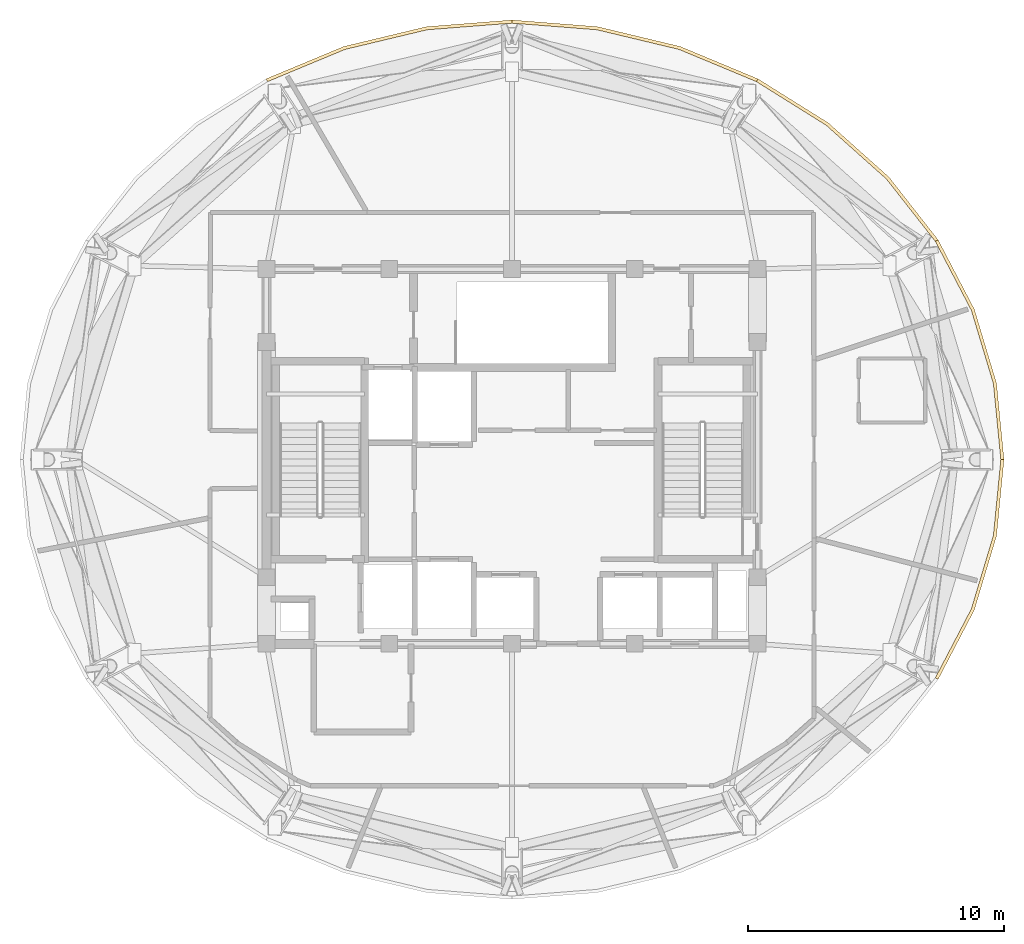
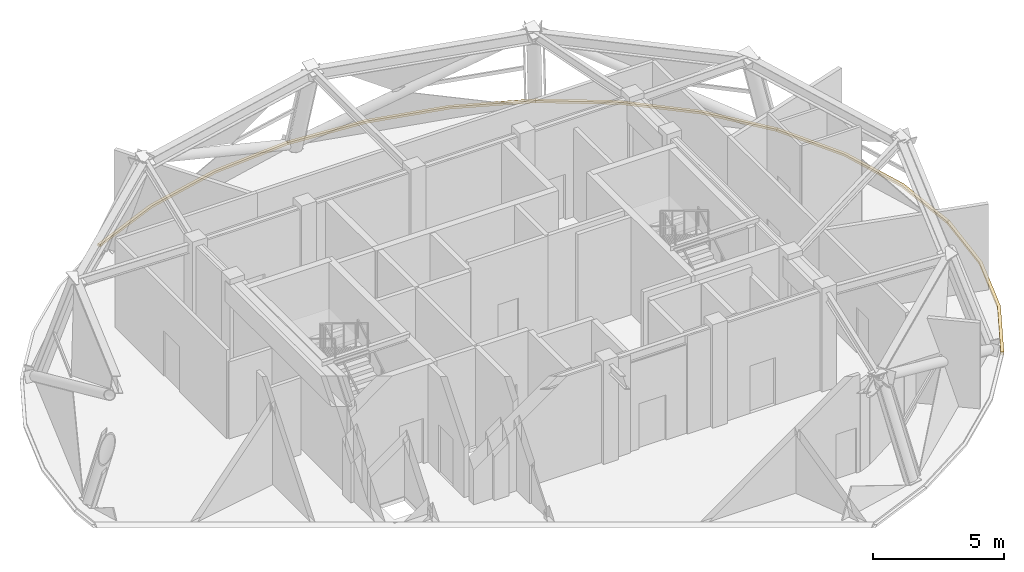
# One storey, part 11 of 11: 5 coverings.
"""IFC4 building model written with IfcOpenShell, lengths in metres."""

from ifc_helpers import new_model, si_unit, direction, frame, origin, place, context, subcontext, project, spatial, polyline, outline, extrude, material, layer, layer_set, type_object, element, save


model = new_model("IFC4")

# Units and contexts
model_context = context("Model", 3, precision=1e-05, world=origin(), true_north=direction((0.0, 1.0)))
body_context = subcontext(model_context, "Body", "Model", "MODEL_VIEW")
ifc_project = project(units=[si_unit("LENGTHUNIT", "METRE"), si_unit("AREAUNIT", "SQUARE_METRE"), si_unit("VOLUMEUNIT", "CUBIC_METRE"), si_unit("PLANEANGLEUNIT", "RADIAN"), si_unit("MASSUNIT", "GRAM", prefix="KILO")], contexts=[model_context])

# Site, building, storey
site_placement = place(None, origin())
site = spatial("IfcSite", under=ifc_project, at=site_placement, CompositionType="ELEMENT")
building_placement = place(site_placement, origin())
building = spatial("IfcBuilding", under=site, at=building_placement, Name="Vantalir Tower", CompositionType="ELEMENT")
storey_placement = place(building_placement, frame((0.0, 0.0, 299.699951171875)))
storey = spatial("IfcBuildingStorey", under=building, at=storey_placement, Name="L75", CompositionType="ELEMENT", Elevation=299.699951171875)

# Coverings
ifc_material = material(Name="Anodised champagne aluminium sill fascia", Category="aluminium")
ifc_layer = layer(ifc_material, 0.125)
ifc_layer_set = layer_set([ifc_layer], Name="Anodised champagne aluminium sill fascia")
covering_type = type_object("IfcCoveringType", Name="COV-SLAB-FASCIA-125", PredefinedType="CLADDING", material=ifc_layer_set)
covering_1_placement = place(storey_placement, frame((0.0, 0.0, -0.179931640625)))
element("IfcCovering", 1, at=covering_1_placement, inside=storey, type_object=covering_type, Name="L75 Perimeter Slab-Edge Sill Fascia 01", PredefinedType="CLADDING", context=body_context, shape_type="SweptSolid", body=[
    extrude(outline(polyline([(50.735107421875, 25.0), (50.443115234375, 27.98388671875), (49.574951171875, 30.8779296875), (48.157958984375, 33.593017578125), (48.050048828125, 33.531005859375), (49.4580078125, 30.8359375), (50.320068359375, 27.962890625), (50.610107421875, 25.0), (50.735107421875, 25.0)])), origin(), (0.0, 0.0, 1.0), 0.10498046875),
])
covering_2_placement = place(storey_placement, frame((0.0, 0.0, -0.179931640625)))
element("IfcCovering", 2, at=covering_2_placement, inside=storey, type_object=covering_type, Name="L75 Perimeter Slab-Edge Sill Fascia 02", PredefinedType="CLADDING", context=body_context, shape_type="SweptSolid", body=[
    extrude(outline(polyline([(48.157958984375, 33.593017578125), (46.235107421875, 36.048095703125), (43.864013671875, 38.166015625), (41.117919921875, 39.884033203125), (41.054931640625, 39.77587890625), (43.783935546875, 38.070068359375), (46.138916015625, 35.967041015625), (48.050048828125, 33.531005859375), (48.157958984375, 33.593017578125)])), origin(), (0.0, 0.0, 1.0), 0.10498046875),
])
covering_3_placement = place(storey_placement, frame((0.0, 0.0, -0.179931640625)))
element("IfcCovering", 3, at=covering_3_placement, inside=storey, type_object=covering_type, Name="L75 Perimeter Slab-Edge Sill Fascia 03", PredefinedType="CLADDING", context=body_context, shape_type="SweptSolid", body=[
    extrude(outline(polyline([(41.117919921875, 39.884033203125), (38.0791015625, 41.14990234375), (34.840087890625, 41.926025390625), (31.5, 42.18701171875), (31.5, 42.06201171875), (34.818115234375, 41.802978515625), (38.035888671875, 41.032958984375), (41.054931640625, 39.77587890625), (41.117919921875, 39.884033203125)])), origin(), (0.0, 0.0, 1.0), 0.10498046875),
])
covering_4_placement = place(storey_placement, frame((0.0, 0.0, -0.179931640625)))
element("IfcCovering", 4, at=covering_4_placement, inside=storey, type_object=covering_type, Name="L75 Perimeter Slab-Edge Sill Fascia 04", PredefinedType="CLADDING", context=body_context, shape_type="SweptSolid", body=[
    extrude(outline(polyline([(31.5, 42.18701171875), (28.159912109375, 41.926025390625), (24.9208984375, 41.14990234375), (21.883056640625, 39.884033203125), (21.945068359375, 39.77587890625), (24.964111328125, 41.032958984375), (28.181884765625, 41.802978515625), (31.5, 42.06201171875), (31.5, 42.18701171875)])), origin(), (0.0, 0.0, 1.0), 0.10498046875),
])
covering_5_placement = place(storey_placement, frame((0.0, 0.0, -0.179931640625)))
element("IfcCovering", 5, at=covering_5_placement, inside=storey, type_object=covering_type, Name="L75 Perimeter Slab-Edge Sill Fascia 12", PredefinedType="CLADDING", context=body_context, shape_type="SweptSolid", body=[
    extrude(outline(polyline([(48.157958984375, 16.406005859375), (49.574951171875, 19.1220703125), (50.443115234375, 22.01611328125), (50.735107421875, 25.0), (50.610107421875, 25.0), (50.320068359375, 22.037109375), (49.4580078125, 19.1640625), (48.050048828125, 16.468994140625), (48.157958984375, 16.406005859375)])), origin(), (0.0, 0.0, 1.0), 0.10498046875),
])

save(model, "model.ifc")
